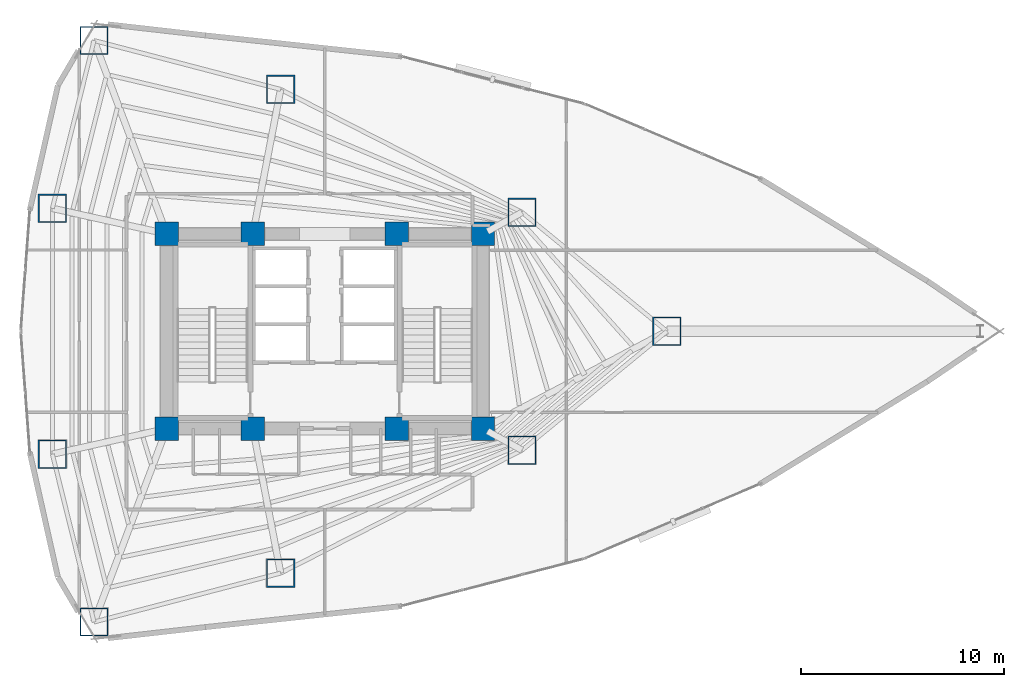
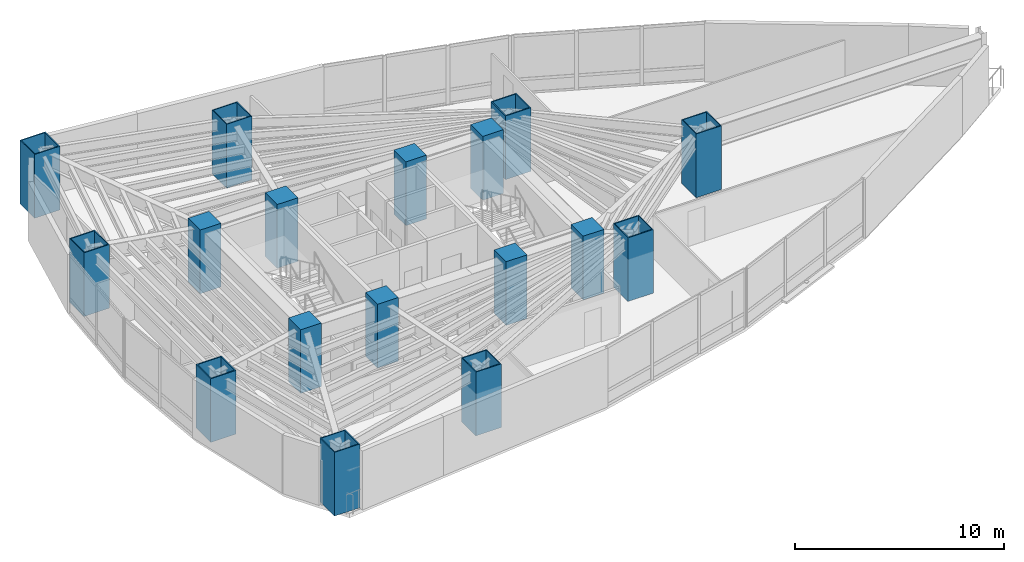
# One storey, part 1 of 20: 17 columns.
"""IFC4 building model written with IfcOpenShell, lengths in metres."""

from ifc_helpers import new_model, si_unit, direction, frame, origin, origin_2d, place, context, subcontext, project, spatial, rectangle, hollow_rectangle, extrude, material, material_profile, profile_set, type_object, element, save


model = new_model("IFC4")

# Units and contexts
model_context = context("Model", 3, precision=1e-05, world=origin(), true_north=direction((0.0, 1.0)))
body_context = subcontext(model_context, "Body", "Model", "MODEL_VIEW")
ifc_project = project(units=[si_unit("LENGTHUNIT", "METRE"), si_unit("AREAUNIT", "SQUARE_METRE"), si_unit("VOLUMEUNIT", "CUBIC_METRE"), si_unit("PLANEANGLEUNIT", "RADIAN"), si_unit("MASSUNIT", "GRAM", prefix="KILO")], contexts=[model_context])

# Site, building, storey
site_placement = place(None, origin())
site = spatial("IfcSite", under=ifc_project, at=site_placement, CompositionType="ELEMENT")
building_placement = place(site_placement, origin())
building = spatial("IfcBuilding", under=site, at=building_placement, Name="Menara Vayukalpa", CompositionType="ELEMENT")
storey_placement = place(building_placement, frame((0.0, 0.0, 64.800048828125)))
storey = spatial("IfcBuildingStorey", under=building, at=storey_placement, Name="L15", CompositionType="ELEMENT", Elevation=64.800048828125)

# Columns
ifc_material_1 = material(Name="Concrete C80/95", Category="concrete")
ifc_material_profile_1 = material_profile(ifc_material_1, rectangle(XDim=1.14990234375, YDim=1.14990234375, at=origin_2d()), Name="RC 1150x1150")
ifc_profile_set_1 = profile_set([ifc_material_profile_1], Name="Concrete C80/95")
column_type_1 = type_object("IfcColumnType", Name="COL-CC1", PredefinedType="COLUMN", material=ifc_profile_set_1)
for number, where, z_axis, x_axis, name in (
    (1, (17.800048828125, 17.199951171875, 0.0), (0.0, 0.0, 1.0), (1.0, 0.0, 0.0), "L15 Core Pilaster Column CC1"),
    (2, (22.050048828125, 17.199951171875, 0.0), (0.0, 0.0, 1.0), (1.0, 0.0, 0.0), "L15 Core Pilaster Column CC2"),
    (3, (29.14990234375, 17.199951171875, 0.0), (0.0, 0.0, 1.0), (1.0, 0.0, 0.0), "L15 Core Pilaster Column CC3"),
    (4, (33.39990234375, 17.199951171875, 0.0), (0.0, 0.0, 1.0), (1.0, 0.0, 0.0), "L15 Core Pilaster Column CC4"),
    (5, (17.800048828125, 26.800048828125, 0.0), (0.0, 0.0, 1.0), (1.0, 0.0, 0.0), "L15 Core Pilaster Column CC5"),
    (6, (22.050048828125, 26.800048828125, 0.0), (0.0, 0.0, 1.0), (1.0, 0.0, 0.0), "L15 Core Pilaster Column CC6"),
    (7, (29.14990234375, 26.800048828125, 0.0), (0.0, 0.0, 1.0), (1.0, 0.0, 0.0), "L15 Core Pilaster Column CC7"),
    (8, (33.39990234375, 26.800048828125, 0.0), (0.0, 0.0, 1.0), (1.0, 0.0, 0.0), "L15 Core Pilaster Column CC8"),
):
    element("IfcColumn", number, at=place(storey_placement, frame(where, z_axis=z_axis, x_axis=x_axis)), inside=storey, type_object=column_type_1, Name=name, PredefinedType="COLUMN", context=body_context, shape_type="SweptSolid", body=[
        extrude(rectangle(XDim=1.14990234375, YDim=1.14990234375, at=origin_2d()), origin(), (0.0, 0.0, 1.0), 3.719970703125),
    ])
ifc_material_2 = material(Name="Steel S460", Category="steel")
ifc_material_profile_2 = material_profile(ifc_material_2, hollow_rectangle(XDim=1.39990234375, YDim=1.39990234375, WallThickness=0.054931640625, at=origin_2d()), Name="BOX 1400x1400x55")
ifc_profile_set_2 = profile_set([ifc_material_profile_2], Name="Steel S460")
column_type_2 = type_object("IfcColumnType", Name="COL-MC1", PredefinedType="COLUMN", material=ifc_profile_set_2)
for number, where, z_axis, x_axis, name in (
    (9, (42.46484375, 22.0, 0.0), (0.0, 0.0, 1.0), (1.0, 0.0, 0.0), "L15 Perimeter Mega Column P01"),
    (10, (35.318115234375, 27.86328125, 0.0), (0.0, 0.0, 1.0), (1.0, 0.0, 0.0), "L15 Perimeter Mega Column P02"),
    (11, (23.41943359375, 33.9228515625, 0.0), (0.0, 0.0, 1.0), (1.0, 0.0, 0.0), "L15 Perimeter Mega Column P03"),
    (12, (14.217529296875, 36.33447265625, 0.0), (0.0, 0.0, 1.0), (1.0, 0.0, 0.0), "L15 Perimeter Mega Column P04"),
    (13, (12.164306640625, 28.0595703125, 0.0), (0.0, 0.0, 1.0), (1.0, 0.0, 0.0), "L15 Perimeter Mega Column P05"),
    (14, (12.164306640625, 15.9404296875, 0.0), (0.0, 0.0, 1.0), (1.0, 0.0, 0.0), "L15 Perimeter Mega Column P06"),
    (15, (14.217529296875, 7.66552734375, 0.0), (0.0, 0.0, 1.0), (1.0, 0.0, 0.0), "L15 Perimeter Mega Column P07"),
    (16, (23.41943359375, 10.0771484375, 0.0), (0.0, 0.0, 1.0), (1.0, 0.0, 0.0), "L15 Perimeter Mega Column P08"),
    (17, (35.318115234375, 16.13671875, 0.0), (0.0, 0.0, 1.0), (1.0, 0.0, 0.0), "L15 Perimeter Mega Column P09"),
):
    element("IfcColumn", number, at=place(storey_placement, frame(where, z_axis=z_axis, x_axis=x_axis)), inside=storey, type_object=column_type_2, Name=name, PredefinedType="COLUMN", context=body_context, shape_type="SweptSolid", body=[
        extrude(hollow_rectangle(XDim=1.39990234375, YDim=1.39990234375, WallThickness=0.054931640625, at=origin_2d()), origin(), (0.0, 0.0, 1.0), 3.719970703125),
    ])

save(model, "model.ifc")
